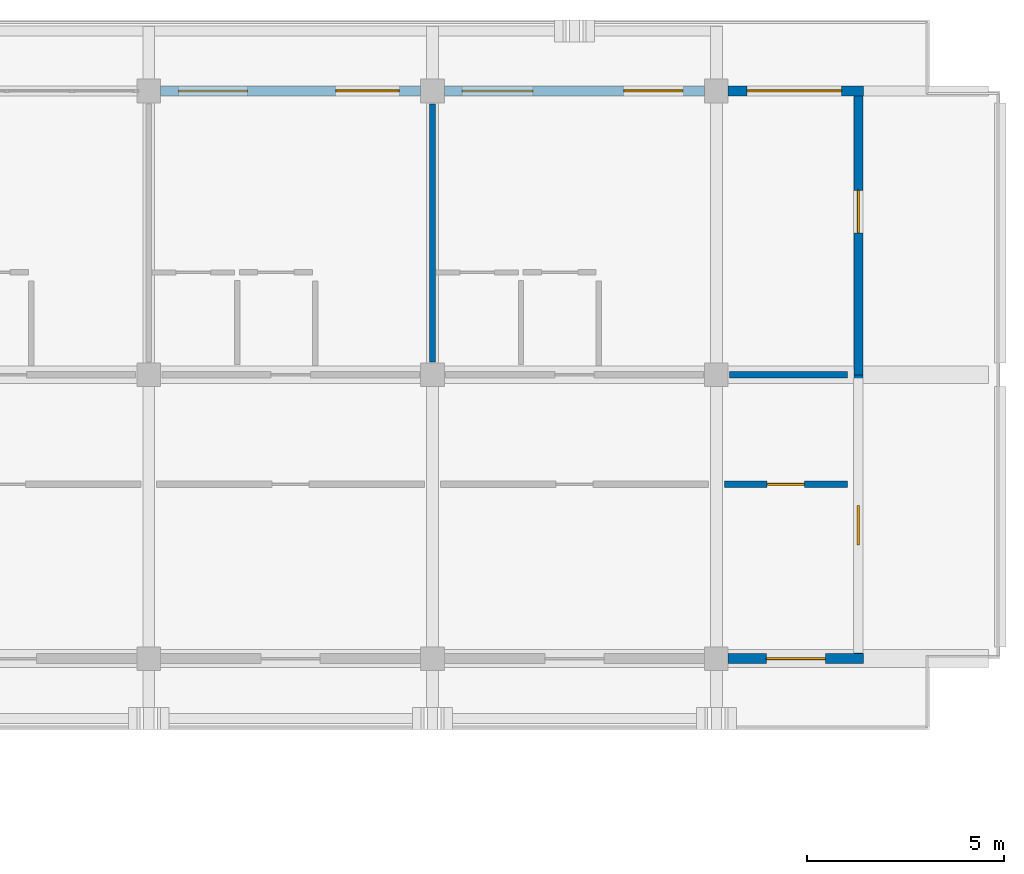
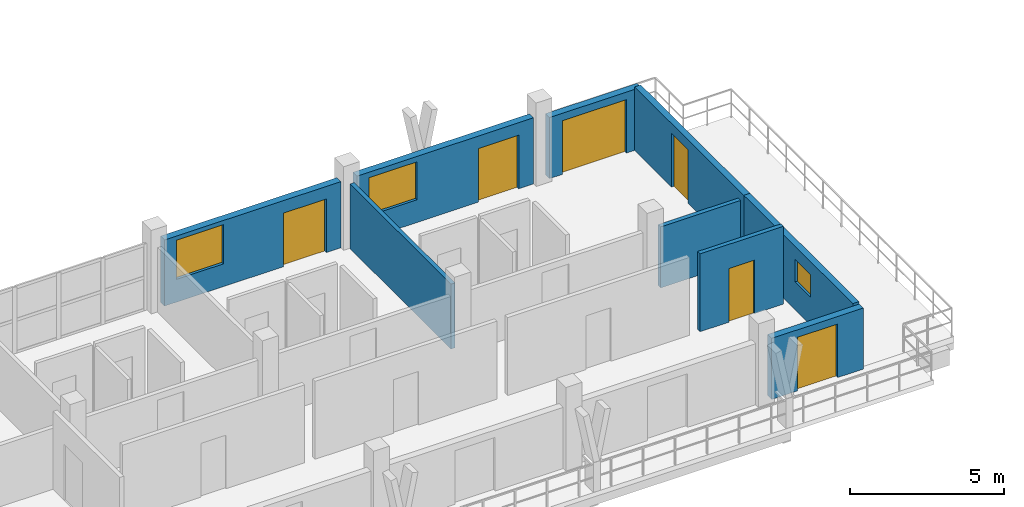
# One storey, part 39 of 60: 9 walls, 6 doors, 3 windows, 9 openings.
"""IFC4 building model written with IfcOpenShell, lengths in metres."""

from ifc_helpers import new_model, si_unit, direction, frame, frame_2d, origin, place, context, subcontext, project, spatial, rectangle, extrude, material, layer, layer_set, type_object, element, fill, save


model = new_model("IFC4")

# Units and contexts
model_context = context("Model", 3, precision=1e-05, world=origin(), true_north=direction((0.0, 1.0)))
body_context = subcontext(model_context, "Body", "Model", "MODEL_VIEW")
ifc_project = project(units=[si_unit("LENGTHUNIT", "METRE"), si_unit("AREAUNIT", "SQUARE_METRE"), si_unit("VOLUMEUNIT", "CUBIC_METRE"), si_unit("PLANEANGLEUNIT", "RADIAN"), si_unit("MASSUNIT", "GRAM", prefix="KILO")], contexts=[model_context])

# Site, building, storey
site_placement = place(None, origin())
site = spatial("IfcSite", under=ifc_project, at=site_placement, CompositionType="ELEMENT")
building_placement = place(site_placement, origin())
building = spatial("IfcBuilding", under=site, at=building_placement, Name="Suanplinth Sawtooth Commons", CompositionType="ELEMENT")
storey_placement = place(building_placement, frame((0.0, 0.0, 31.5)))
storey = spatial("IfcBuildingStorey", under=building, at=storey_placement, Name="L09", CompositionType="ELEMENT", Elevation=31.5)

# Wall, openings, door, window
ifc_material_1 = material(Name="Precast concrete C40/50", Category="concrete")
ifc_layer_1 = layer(ifc_material_1, 0.260009765625, Name="Insulated precast courtyard facade wall 260mm")
ifc_layer_set_1 = layer_set([ifc_layer_1], Name="Precast concrete C40/50")
wall_type_1 = type_object("IfcWallType", Name="W-EX02", PredefinedType="ELEMENTEDWALL", material=ifc_layer_set_1)
wall_1_placement = place(storey_placement, frame((79.5, 122.39990234375, 0.0), z_axis=(0.0, 0.0, 1.0), x_axis=(1.0, 0.0, 0.0)))
wall_1 = element("IfcWall", 1, at=wall_1_placement, inside=storey, type_object=wall_type_1, Name="Facade Wall W-L09-A-N-9", PredefinedType="ELEMENTEDWALL", context=body_context, shape_type="SweptSolid", body=[
    extrude(rectangle(XDim=6.60009765625, YDim=0.260009765625, at=frame_2d((3.300048828125, 0.0))), origin(), (0.0, 0.0, 1.0), 2.614990234375),
])
opening_1_placement = place(wall_1_placement, frame((4.449951171875, 0.0, 0.0)))
opening_1 = element("IfcOpeningElement", 2, at=opening_1_placement, cuts=wall_1, Name="Opening ED0699", PredefinedType="OPENING", context=body_context, shape_type="SweptSolid", body=[
    extrude(rectangle(XDim=1.60009765625, YDim=2.1201171875, at=frame_2d((0.800048828125, 1.06005859375))), frame((0.0, 0.14501953125, 0.0), z_axis=(0.0, -1.0, 0.0), x_axis=(1.0, 0.0, 0.0)), (0.0, 0.0, 1.0), 0.289794921875),
])
opening_2_placement = place(wall_1_placement, frame((0.449951171875, 0.0, 0.89990234375)))
opening_2 = element("IfcOpeningElement", 3, at=opening_2_placement, cuts=wall_1, Name="Opening W0781", PredefinedType="OPENING", context=body_context, shape_type="SweptSolid", body=[
    extrude(rectangle(XDim=1.75, YDim=1.550048828125, at=frame_2d((0.875, 0.77490234375))), frame((0.0, 0.14501953125, 0.0), z_axis=(0.0, -1.0, 0.0), x_axis=(1.0, 0.0, 0.0)), (0.0, 0.0, 1.0), 0.289794921875),
])
ifc_material_2 = material(Name="Anodized aluminium and low-E glass", Category="aluminium")
door_type_1 = type_object("IfcDoorType", Name="SD-02", OperationType="SLIDING_TO_RIGHT", PredefinedType="DOOR", material=ifc_material_2)
door_1_placement = place(opening_1_placement, frame((1.60009765625, 0.0, 0.0), z_axis=(0.0, 0.0, 1.0), x_axis=(-1.0, 0.0, 0.0)))
door_1 = element("IfcDoor", 4, at=door_1_placement, inside=storey, type_object=door_type_1, Name="Balcony Sliding Door L09-A-N-9", OperationType="SLIDING_TO_RIGHT", OverallHeight=2.1201171875, OverallWidth=1.60009765625, PredefinedType="DOOR", context=body_context, shape_type="SweptSolid", body=[
    extrude(rectangle(XDim=1.60009765625, YDim=2.1201171875, at=frame_2d((0.800048828125, 1.06005859375))), frame((0.0, 0.02490234375, 0.0), z_axis=(0.0, -1.0, 0.0), x_axis=(1.0, 0.0, 0.0)), (0.0, 0.0, 1.0), 0.050048828125),
])
fill(opening_1, door_1)
ifc_material_3 = material(Name="Thermally broken aluminium and low-E double glazing", Category="aluminium")
window_type_1 = type_object("IfcWindowType", Name="WN-26", PartitioningType="DOUBLE_PANEL_VERTICAL", PredefinedType="WINDOW", material=ifc_material_3)
window_1_placement = place(opening_2_placement, origin())
window_1 = element("IfcWindow", 5, at=window_1_placement, inside=storey, type_object=window_type_1, Name="Window L09-A-N-9", OverallHeight=1.550048828125, OverallWidth=1.75, PartitioningType="DOUBLE_PANEL_VERTICAL", PredefinedType="WINDOW", context=body_context, shape_type="SweptSolid", body=[
    extrude(rectangle(XDim=1.75, YDim=1.550048828125, at=frame_2d((0.875, 0.77490234375))), frame((0.0, 0.030029296875, 0.0), z_axis=(0.0, -1.0, 0.0), x_axis=(1.0, 0.0, 0.0)), (0.0, 0.0, 1.0), 0.06005859375),
])
fill(opening_2, window_1)

wall_2_placement = place(storey_placement, frame((86.699951171875, 122.39990234375, 0.0), z_axis=(0.0, 0.0, 1.0), x_axis=(1.0, 0.0, 0.0)))
wall_2 = element("IfcWall", 6, at=wall_2_placement, inside=storey, type_object=wall_type_1, Name="Facade Wall W-L09-A-N-10", PredefinedType="ELEMENTEDWALL", context=body_context, shape_type="SweptSolid", body=[
    extrude(rectangle(XDim=6.60009765625, YDim=0.260009765625, at=frame_2d((3.300048828125, 0.0))), origin(), (0.0, 0.0, 1.0), 2.614990234375),
])
opening_3_placement = place(wall_2_placement, frame((4.550048828125, 0.0, 0.0)))
opening_3 = element("IfcOpeningElement", 7, at=opening_3_placement, cuts=wall_2, Name="Opening ED0701", PredefinedType="OPENING", context=body_context, shape_type="SweptSolid", body=[
    extrude(rectangle(XDim=1.5, YDim=2.1201171875, at=frame_2d((0.75, 1.06005859375))), frame((0.0, 0.14501953125, 0.0), z_axis=(0.0, -1.0, 0.0), x_axis=(1.0, 0.0, 0.0)), (0.0, 0.0, 1.0), 0.289794921875),
])
opening_4_placement = place(wall_2_placement, frame((0.449951171875, 0.0, 0.89990234375)))
opening_4 = element("IfcOpeningElement", 8, at=opening_4_placement, cuts=wall_2, Name="Opening W0782", PredefinedType="OPENING", context=body_context, shape_type="SweptSolid", body=[
    extrude(rectangle(XDim=1.800048828125, YDim=1.5, at=frame_2d((0.89990234375, 0.75))), frame((0.0, 0.14501953125, 0.0), z_axis=(0.0, -1.0, 0.0), x_axis=(1.0, 0.0, 0.0)), (0.0, 0.0, 1.0), 0.289794921875),
])
door_type_2 = type_object("IfcDoorType", Name="SD-03", OperationType="SLIDING_TO_LEFT", PredefinedType="DOOR", material=ifc_material_2)
door_2_placement = place(opening_3_placement, frame((1.5, 0.0, 0.0), z_axis=(0.0, 0.0, 1.0), x_axis=(-1.0, 0.0, 0.0)))
door_2 = element("IfcDoor", 9, at=door_2_placement, inside=storey, type_object=door_type_2, Name="Balcony Sliding Door L09-A-N-10", OperationType="SLIDING_TO_LEFT", OverallHeight=2.1201171875, OverallWidth=1.5, PredefinedType="DOOR", context=body_context, shape_type="SweptSolid", body=[
    extrude(rectangle(XDim=1.5, YDim=2.1201171875, at=frame_2d((0.75, 1.06005859375))), frame((0.0, 0.02490234375, 0.0), z_axis=(0.0, -1.0, 0.0), x_axis=(1.0, 0.0, 0.0)), (0.0, 0.0, 1.0), 0.050048828125),
])
fill(opening_3, door_2)
window_type_2 = type_object("IfcWindowType", Name="WN-01", PartitioningType="DOUBLE_PANEL_VERTICAL", PredefinedType="WINDOW", material=ifc_material_3)
window_2_placement = place(opening_4_placement, origin())
window_2 = element("IfcWindow", 10, at=window_2_placement, inside=storey, type_object=window_type_2, Name="Window L09-A-N-10", OverallHeight=1.5, OverallWidth=1.800048828125, PartitioningType="DOUBLE_PANEL_VERTICAL", PredefinedType="WINDOW", context=body_context, shape_type="SweptSolid", body=[
    extrude(rectangle(XDim=1.800048828125, YDim=1.5, at=frame_2d((0.89990234375, 0.75))), frame((0.0, 0.030029296875, 0.0), z_axis=(0.0, -1.0, 0.0), x_axis=(1.0, 0.0, 0.0)), (0.0, 0.0, 1.0), 0.06005859375),
])
fill(opening_4, window_2)

# Wall, opening, door
wall_3_placement = place(storey_placement, frame((93.89990234375, 122.39990234375, 0.0), z_axis=(0.0, 0.0, 1.0), x_axis=(1.0, 0.0, 0.0)))
wall_3 = element("IfcWall", 11, at=wall_3_placement, inside=storey, type_object=wall_type_1, Name="Facade Wall W-L09-A-N-11", PredefinedType="ELEMENTEDWALL", context=body_context, shape_type="SweptSolid", body=[
    extrude(rectangle(XDim=3.43017578125, YDim=0.260009765625, at=frame_2d((1.715087890625, 0.0))), origin(), (0.0, 0.0, 1.0), 2.4150390625),
])
opening_5_placement = place(wall_3_placement, frame((0.47998046875, 0.0, 0.0)))
opening_5 = element("IfcOpeningElement", 12, at=opening_5_placement, cuts=wall_3, Name="Opening ED0703", PredefinedType="OPENING", context=body_context, shape_type="SweptSolid", body=[
    extrude(rectangle(XDim=2.39990234375, YDim=2.1201171875, at=frame_2d((1.199951171875, 1.06005859375))), frame((0.0, 0.14501953125, 0.0), z_axis=(0.0, -1.0, 0.0), x_axis=(1.0, 0.0, 0.0)), (0.0, 0.0, 1.0), 0.289794921875),
])
door_type_3 = type_object("IfcDoorType", Name="SD-04", OperationType="DOUBLE_DOOR_SLIDING", PredefinedType="DOOR", material=ifc_material_2)
door_3_placement = place(opening_5_placement, frame((2.39990234375, 0.0, 0.0), z_axis=(0.0, 0.0, 1.0), x_axis=(-1.0, 0.0, 0.0)))
door_3 = element("IfcDoor", 13, at=door_3_placement, inside=storey, type_object=door_type_3, Name="Balcony Sliding Door L09-A-N-11", OperationType="DOUBLE_DOOR_SLIDING", OverallHeight=2.1201171875, OverallWidth=2.39990234375, PredefinedType="DOOR", context=body_context, shape_type="SweptSolid", body=[
    extrude(rectangle(XDim=2.39990234375, YDim=2.1201171875, at=frame_2d((1.199951171875, 1.06005859375))), frame((0.0, 0.02490234375, 0.0), z_axis=(0.0, -1.0, 0.0), x_axis=(1.0, 0.0, 0.0)), (0.0, 0.0, 1.0), 0.050048828125),
])
fill(opening_5, door_3)

wall_4_placement = place(storey_placement, frame((93.89990234375, 108.0, 0.0), z_axis=(0.0, 0.0, 1.0), x_axis=(1.0, 0.0, 0.0)))
wall_4 = element("IfcWall", 14, at=wall_4_placement, inside=storey, type_object=wall_type_1, Name="Courtyard Wall W-L09-A-S-11", PredefinedType="ELEMENTEDWALL", context=body_context, shape_type="SweptSolid", body=[
    extrude(rectangle(XDim=3.43017578125, YDim=0.260009765625, at=frame_2d((1.715087890625, 0.0))), origin(), (0.0, 0.0, 1.0), 2.4150390625),
])
opening_6_placement = place(wall_4_placement, frame((0.965087890625, 0.0, 0.0)))
opening_6 = element("IfcOpeningElement", 15, at=opening_6_placement, cuts=wall_4, Name="Opening ED0704", PredefinedType="OPENING", context=body_context, shape_type="SweptSolid", body=[
    extrude(rectangle(XDim=1.5, YDim=2.1201171875, at=frame_2d((0.75, 1.06005859375))), frame((0.0, 0.14501953125, 0.0), z_axis=(0.0, -1.0, 0.0), x_axis=(1.0, 0.0, 0.0)), (0.0, 0.0, 1.0), 0.289794921875),
])
door_4_placement = place(opening_6_placement, frame((1.5, 0.0, 0.0), z_axis=(0.0, 0.0, 1.0), x_axis=(-1.0, 0.0, 0.0)))
door_4 = element("IfcDoor", 16, at=door_4_placement, inside=storey, type_object=door_type_2, Name="Courtyard Balcony Sliding Door L09-A-S-11", OperationType="SLIDING_TO_LEFT", OverallHeight=2.1201171875, OverallWidth=1.5, PredefinedType="DOOR", context=body_context, shape_type="SweptSolid", body=[
    extrude(rectangle(XDim=1.5, YDim=2.1201171875, at=frame_2d((0.75, 1.06005859375))), frame((0.0, 0.02490234375, 0.0), z_axis=(0.0, -1.0, 0.0), x_axis=(1.0, 0.0, 0.0)), (0.0, 0.0, 1.0), 0.050048828125),
])
fill(opening_6, door_4)

# Wall, opening, window
ifc_layer_2 = layer(ifc_material_1, 0.22998046875, Name="Stepped terrace insulated precast wall 230mm")
ifc_layer_set_2 = layer_set([ifc_layer_2], Name="Precast concrete C40/50")
wall_type_2 = type_object("IfcWallType", Name="W-EX06", PredefinedType="ELEMENTEDWALL", material=ifc_layer_set_2)
wall_5_placement = place(storey_placement, frame((97.199951171875, 108.1298828125, 0.0), z_axis=(0.0, 0.0, 1.0), x_axis=(0.0, 1.0, 0.0)))
wall_5 = element("IfcWall", 17, at=wall_5_placement, inside=storey, type_object=wall_type_2, Name="End Wall W-L09-A-E-15", PredefinedType="ELEMENTEDWALL", context=body_context, shape_type="SweptSolid", body=[
    extrude(rectangle(XDim=7.070068359375, YDim=0.22998046875, at=frame_2d((3.53515625, 0.0))), origin(), (0.0, 0.0, 1.0), 2.514892578125),
])
opening_7_placement = place(wall_5_placement, frame((2.75, 0.0, 1.10009765625)))
opening_7 = element("IfcOpeningElement", 18, at=opening_7_placement, cuts=wall_5, Name="Opening W0784", PredefinedType="OPENING", context=body_context, shape_type="SweptSolid", body=[
    extrude(rectangle(XDim=1.0, YDim=0.89990234375, at=frame_2d((0.5, 0.449951171875))), frame((0.0, 0.1298828125, 0.0), z_axis=(0.0, -1.0, 0.0), x_axis=(1.0, 0.0, 0.0)), (0.0, 0.0, 1.0), 0.259765625),
])
window_type_3 = type_object("IfcWindowType", Name="WN-12", PartitioningType="SINGLE_PANEL", PredefinedType="WINDOW", material=ifc_material_3)
window_3_placement = place(opening_7_placement, origin())
window_3 = element("IfcWindow", 19, at=window_3_placement, inside=storey, type_object=window_type_3, Name="End Window L09-A-E-15", OverallHeight=0.89990234375, OverallWidth=1.0, PartitioningType="SINGLE_PANEL", PredefinedType="WINDOW", context=body_context, shape_type="SweptSolid", body=[
    extrude(rectangle(XDim=1.0, YDim=0.89990234375, at=frame_2d((0.5, 0.449951171875))), frame((0.0, 0.030029296875, 0.0), z_axis=(0.0, -1.0, 0.0), x_axis=(1.0, 0.0, 0.0)), (0.0, 0.0, 1.0), 0.06005859375),
])
fill(opening_7, window_3)

# Wall, opening, door
wall_6_placement = place(storey_placement, frame((97.199951171875, 115.199951171875, 0.0), z_axis=(0.0, 0.0, 1.0), x_axis=(0.0, 1.0, 0.0)))
wall_6 = element("IfcWall", 20, at=wall_6_placement, inside=storey, type_object=wall_type_2, Name="End Wall W-L09-A-E-16", PredefinedType="ELEMENTEDWALL", context=body_context, shape_type="SweptSolid", body=[
    extrude(rectangle(XDim=7.070068359375, YDim=0.22998046875, at=frame_2d((3.53515625, 0.0))), origin(), (0.0, 0.0, 1.0), 2.514892578125),
])
opening_8_placement = place(wall_6_placement, frame((3.60009765625, 0.0, 0.0)))
opening_8 = element("IfcOpeningElement", 21, at=opening_8_placement, cuts=wall_6, Name="Opening ED0706", PredefinedType="OPENING", context=body_context, shape_type="SweptSolid", body=[
    extrude(rectangle(XDim=1.080078125, YDim=2.1201171875, at=frame_2d((0.5400390625, 1.06005859375))), frame((0.0, 0.1298828125, 0.0), z_axis=(0.0, -1.0, 0.0), x_axis=(1.0, 0.0, 0.0)), (0.0, 0.0, 1.0), 0.259765625),
])
door_type_4 = type_object("IfcDoorType", Name="ED-10", OperationType="NOTDEFINED", PredefinedType="DOOR", material=ifc_material_2)
door_5_placement = place(opening_8_placement, frame((1.080078125, 0.0, 0.0), z_axis=(0.0, 0.0, 1.0), x_axis=(-1.0, 0.0, 0.0)))
door_5 = element("IfcDoor", 22, at=door_5_placement, inside=storey, type_object=door_type_4, Name="L09 Block A E Stepped Terrace Door", OperationType="SINGLE_SWING_LEFT", OverallHeight=2.1201171875, OverallWidth=1.080078125, PredefinedType="DOOR", context=body_context, shape_type="SweptSolid", body=[
    extrude(rectangle(XDim=1.080078125, YDim=2.1201171875, at=frame_2d((0.5400390625, 1.06005859375))), frame((0.0, 0.02490234375, 0.0), z_axis=(0.0, -1.0, 0.0), x_axis=(1.0, 0.0, 0.0)), (0.0, 0.0, 1.0), 0.050048828125),
])
fill(opening_8, door_5)

# Wall
ifc_layer_3 = layer(ifc_material_1, 0.159912109375, Name="Fire-rated corridor and lobby wall 160mm")
ifc_layer_set_3 = layer_set([ifc_layer_3], Name="Precast concrete C40/50")
wall_type_3 = type_object("IfcWallType", Name="W-FW01", PredefinedType="PARTITIONING", material=ifc_layer_set_3)
wall_7_placement = place(storey_placement, frame((93.929931640625, 115.199951171875, 0.0), z_axis=(0.0, 0.0, 1.0), x_axis=(1.0, 0.0, 0.0)))
element("IfcWall", 23, at=wall_7_placement, inside=storey, type_object=wall_type_3, Name="W-A-L09-U08-COR-S2", PredefinedType="PARTITIONING", context=body_context, shape_type="SweptSolid", body=[
    extrude(rectangle(XDim=2.989990234375, YDim=0.159912109375, at=frame_2d((1.4951171875, 0.0))), origin(), (0.0, 0.0, 1.0), 2.4150390625),
])

# Wall, opening, door
wall_8_placement = place(storey_placement, frame((93.800048828125, 112.419921875, 0.0), z_axis=(0.0, 0.0, 1.0), x_axis=(1.0, 0.0, 0.0)))
wall_8 = element("IfcWall", 24, at=wall_8_placement, inside=storey, type_object=wall_type_3, Name="W-A-L09-COURTROOM-15-COR", PredefinedType="PARTITIONING", context=body_context, shape_type="SweptSolid", body=[
    extrude(rectangle(XDim=3.119873046875, YDim=0.159912109375, at=frame_2d((1.56005859375, 0.0))), origin(), (0.0, 0.0, 1.0), 3.080078125),
])
opening_9_placement = place(wall_8_placement, frame((1.090087890625, 0.0, 0.0)))
opening_9 = element("IfcOpeningElement", 25, at=opening_9_placement, cuts=wall_8, Name="Opening D1792", PredefinedType="OPENING", context=body_context, shape_type="SweptSolid", body=[
    extrude(rectangle(XDim=0.93994140625, YDim=2.1201171875, at=frame_2d((0.469970703125, 1.06005859375))), frame((0.0, 0.0947265625, 0.0), z_axis=(0.0, -1.0, 0.0), x_axis=(1.0, 0.0, 0.0)), (0.0, 0.0, 1.0), 0.189697265625),
])
ifc_material_4 = material(Name="Teak hardwood", Category="wood")
door_type_5 = type_object("IfcDoorType", Name="D-15", OperationType="NOTDEFINED", PredefinedType="DOOR", material=ifc_material_4)
door_6_placement = place(opening_9_placement, frame((0.93994140625, 0.0, 0.0), z_axis=(0.0, 0.0, 1.0), x_axis=(-1.0, 0.0, 0.0)))
door_6 = element("IfcDoor", 26, at=door_6_placement, inside=storey, type_object=door_type_5, Name="Study Studio Door D1792", OperationType="SINGLE_SWING_RIGHT", OverallHeight=2.1201171875, OverallWidth=0.93994140625, PredefinedType="DOOR", context=body_context, shape_type="SweptSolid", body=[
    extrude(rectangle(XDim=0.93994140625, YDim=2.1201171875, at=frame_2d((0.469970703125, 1.06005859375))), frame((0.0, 0.02490234375, 0.0), z_axis=(0.0, -1.0, 0.0), x_axis=(1.0, 0.0, 0.0)), (0.0, 0.0, 1.0), 0.050048828125),
])
fill(opening_9, door_6)

# Wall
ifc_layer_4 = layer(ifc_material_1, 0.14990234375, Name="Acoustic precast party demising wall 150mm")
ifc_layer_set_4 = layer_set([ifc_layer_4], Name="Precast concrete C40/50")
wall_type_4 = type_object("IfcWallType", Name="W-FW02", PredefinedType="PARTITIONING", material=ifc_layer_set_4)
wall_9_placement = place(storey_placement, frame((86.39990234375, 115.530029296875, 0.0), z_axis=(0.0, 0.0, 1.0), x_axis=(0.0, 1.0, 0.0)))
element("IfcWall", 27, at=wall_9_placement, inside=storey, type_object=wall_type_4, Name="W-A-L09-U07-PTY", PredefinedType="PARTITIONING", context=body_context, shape_type="SweptSolid", body=[
    extrude(rectangle(XDim=6.5400390625, YDim=0.14990234375, at=frame_2d((3.27001953125, 0.0))), origin(), (0.0, 0.0, 1.0), 2.56494140625),
])

save(model, "model.ifc")
